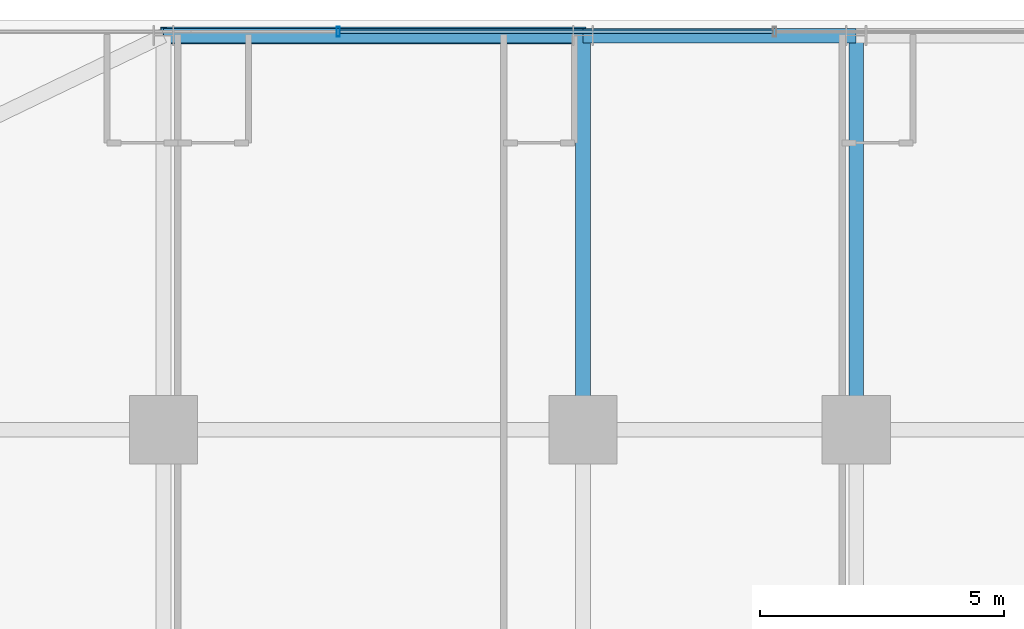
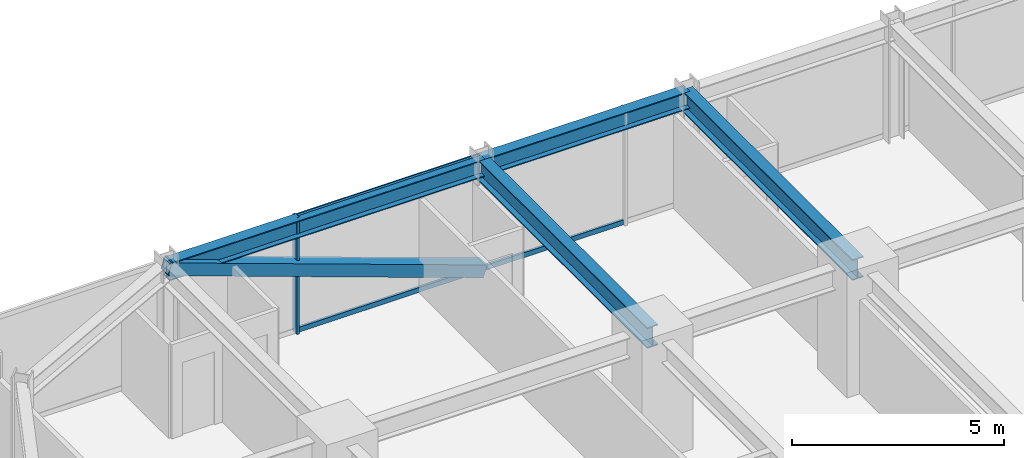
# One storey, part 24 of 37: 4 beams, 4 members, 1 element without a shape of its own.
"""IFC4 building model written with IfcOpenShell, lengths in metres."""

from ifc_helpers import new_model, si_unit, direction, frame, origin, origin_2d, place, context, subcontext, project, spatial, hollow_rectangle, i_section, extrude, source, transform, mapped, material, material_profile, profile_set, type_object, element, aggregate, save


model = new_model("IFC4")

# Units and contexts
model_context = context("Model", 3, precision=1e-05, world=origin(), true_north=direction((0.0, 1.0)))
body_context = subcontext(model_context, "Body", "Model", "MODEL_VIEW")
ifc_project = project(units=[si_unit("LENGTHUNIT", "METRE"), si_unit("AREAUNIT", "SQUARE_METRE"), si_unit("VOLUMEUNIT", "CUBIC_METRE"), si_unit("PLANEANGLEUNIT", "RADIAN"), si_unit("MASSUNIT", "GRAM", prefix="KILO")], contexts=[model_context])

# Site, building, storey
site_placement = place(None, origin())
site = spatial("IfcSite", under=ifc_project, at=site_placement, CompositionType="ELEMENT")
building_placement = place(site_placement, origin())
building = spatial("IfcBuilding", under=site, at=building_placement, Name="Nahalor Promenade Grand Hotel", CompositionType="ELEMENT")
storey_placement = place(building_placement, frame((0.0, 0.0, 65.25)))
storey = spatial("IfcBuildingStorey", under=building, at=storey_placement, Name="L15", CompositionType="ELEMENT", Elevation=65.25)

# Beams
ifc_material_1 = material(Name="Steel S355JR", Category="steel")
ifc_material_profile_1 = material_profile(ifc_material_1, i_section(OverallWidth=0.3, OverallDepth=0.5, WebThickness=0.0145, FlangeThickness=0.028, at=origin_2d()), Name="HEB 500")
ifc_profile_set_1 = profile_set([ifc_material_profile_1], Name="Steel S355JR")
beam_type_1 = type_object("IfcBeamType", Name="Beam-Spandrel-HEB500", PredefinedType="SPANDREL", material=ifc_profile_set_1)
shared_shape_1 = source(origin(), body_context, "Body", "SweptSolid", [
    extrude(i_section(OverallWidth=0.3, OverallDepth=0.5, WebThickness=0.0145, FlangeThickness=0.028, at=origin_2d()), origin(), (0.0, 0.0, 1.0), 8.60009765625),
])
beam_1_placement = place(storey_placement, frame((-17.0, 25.080078125, 3.1201171875), z_axis=(1.0, 0.0, 0.0), x_axis=(0.0, 1.0, 0.0)))
element("IfcBeam", 1, at=beam_1_placement, inside=storey, type_object=beam_type_1, Name="BM-L15-SP-N-0", PredefinedType="SPANDREL", context=body_context, shape_type="MappedRepresentation", body=[
    mapped(shared_shape_1, transform((0.0, 0.0, 0.0), scale=1.0)),
])
shared_shape_2 = source(origin(), body_context, "Body", "SweptSolid", [
    extrude(i_section(OverallWidth=0.3, OverallDepth=0.5, WebThickness=0.0145, FlangeThickness=0.028, at=origin_2d()), origin(), (0.0, 0.0, 1.0), 5.599853515625),
])
beam_2_placement = place(storey_placement, frame((-8.39990234375, 25.080078125, 3.1201171875), z_axis=(1.0, 0.0, 0.0), x_axis=(0.0, 1.0, 0.0)))
element("IfcBeam", 2, at=beam_2_placement, inside=storey, type_object=beam_type_1, Name="BM-L15-SP-N-1", PredefinedType="SPANDREL", context=body_context, shape_type="MappedRepresentation", body=[
    mapped(shared_shape_2, transform((0.0, 0.0, 0.0), scale=1.0)),
])
ifc_material_profile_2 = material_profile(ifc_material_1, i_section(OverallWidth=0.3, OverallDepth=0.6, WebThickness=0.0155, FlangeThickness=0.03, at=origin_2d()), Name="HEB 600")
ifc_profile_set_2 = profile_set([ifc_material_profile_2], Name="Steel S355JR")
beam_type_2 = type_object("IfcBeamType", Name="Beam-Girder-HEB600", PredefinedType="BEAM", material=ifc_profile_set_2)
shared_shape_3 = source(origin(), body_context, "Body", "SweptSolid", [
    extrude(i_section(OverallWidth=0.3, OverallDepth=0.6, WebThickness=0.0155, FlangeThickness=0.03, at=origin_2d()), origin(), (0.0, 0.0, 1.0), 8.080078125),
])
for number, where, z_axis, x_axis, name in (
    (3, (-8.39990234375, 17.0, 3.070068359375), (0.0, 1.0, 0.0), (-1.0, 0.0, 0.0), "BM-L15-GY-1-4"),
    (4, (-2.800048828125, 17.0, 3.070068359375), (0.0, 1.0, 0.0), (-1.0, 0.0, 0.0), "BM-L15-GY-2-4"),
):
    element("IfcBeam", number, at=place(storey_placement, frame(where, z_axis=z_axis, x_axis=x_axis)), inside=storey, type_object=beam_type_2, Name=name, PredefinedType="BEAM", context=body_context, shape_type="MappedRepresentation", body=[
        mapped(shared_shape_3, transform((0.0, 0.0, 0.0), scale=1.0)),
    ])

# Member
ifc_material_profile_3 = material_profile(ifc_material_1, hollow_rectangle(XDim=0.35, YDim=0.35, WallThickness=0.02, at=origin_2d()), Name="SHS 350x350x20")
ifc_profile_set_3 = profile_set([ifc_material_profile_3], Name="Steel S355JR")
member_type_1 = type_object("IfcMemberType", Name="Mem-VoidBrace-SHS350", PredefinedType="BRACE", material=ifc_profile_set_3)
shared_shape_4 = source(origin(), body_context, "Body", "SweptSolid", [
    extrude(hollow_rectangle(XDim=0.35, YDim=0.35, WallThickness=0.02, at=origin_2d()), origin(), (0.0, 0.0, 1.0), 9.131591796875),
])
member_1_placement = place(storey_placement, frame((-8.39990234375, 25.080078125, 0.14990234375), z_axis=(-0.941790292179, 0.0, 0.336200900589), x_axis=(0.0, -1.0, 0.0)))
element("IfcMember", 5, at=member_1_placement, inside=storey, type_object=member_type_1, Name="EXO-L15-N-0", PredefinedType="BRACE", context=body_context, shape_type="MappedRepresentation", body=[
    mapped(shared_shape_4, transform((0.0, 0.0, 0.0), scale=1.0)),
])

# Curtain wall, members
ifc_material_2 = material(Name="Anodised Bronze Aluminium EN AW-6063 T6", Category="aluminium")
curtain_wall_type = type_object("IfcCurtainWallType", Name="CW3 Elliptical-Void Collar Unitised Curtain Wall", PredefinedType="USERDEFINED", material=ifc_material_2)
curtain_wall_placement = place(storey_placement, origin())
curtain_wall = element("IfcCurtainWall", 6, at=curtain_wall_placement, inside=storey, type_object=curtain_wall_type, Name="L15 Curtain Wall CW-L15-N-1", ObjectType="UNITISED_CURTAIN_WALL", PredefinedType="USERDEFINED")
ifc_material_profile_4 = material_profile(ifc_material_2, hollow_rectangle(XDim=0.07, YDim=0.14, WallThickness=0.004, at=origin_2d()), Name="CWT 70x140x4")
ifc_profile_set_4 = profile_set([ifc_material_profile_4], Name="Anodised Bronze Aluminium EN AW-6063 T6")
member_type_2 = type_object("IfcMemberType", Name="CWT3 Void Collar Transom 70x140", PredefinedType="USERDEFINED", material=ifc_profile_set_4)
shared_shape_5 = source(origin(), body_context, "Body", "SweptSolid", [
    extrude(hollow_rectangle(XDim=0.07, YDim=0.14, WallThickness=0.004, at=origin_2d()), origin(), (0.0, 0.0, 1.0), 8.8740234375),
])
member_2_placement = place(storey_placement, frame((-13.381103515625, 25.159912109375, 0.070068359375), z_axis=(1.0, 0.0, 0.0), x_axis=(0.0, 1.0, 0.0)))
member_2 = element("IfcMember", 7, at=member_2_placement, type_object=member_type_2, Name="CW-L15-N-1 Transom 1-0", ObjectType="TRANSOM", PredefinedType="USERDEFINED", context=body_context, shape_type="MappedRepresentation", body=[
    mapped(shared_shape_5, transform((0.0, 0.0, 0.0), scale=1.0)),
])
member_3_placement = place(storey_placement, frame((-13.381103515625, 25.159912109375, 3.300048828125), z_axis=(1.0, 0.0, 0.0), x_axis=(0.0, 1.0, 0.0)))
member_3 = element("IfcMember", 8, at=member_3_placement, type_object=member_type_2, Name="CW-L15-N-1 Transom 1-1", ObjectType="TRANSOM", PredefinedType="USERDEFINED", context=body_context, shape_type="MappedRepresentation", body=[
    mapped(shared_shape_5, transform((0.0, 0.0, 0.0), scale=1.0)),
])
ifc_material_profile_5 = material_profile(ifc_material_2, hollow_rectangle(XDim=0.07, YDim=0.2, WallThickness=0.005, at=origin_2d()), Name="CWM 70x200x5")
ifc_profile_set_5 = profile_set([ifc_material_profile_5], Name="Anodised Bronze Aluminium EN AW-6063 T6")
member_type_3 = type_object("IfcMemberType", Name="CWM3 Void Collar Mullion 70x200", PredefinedType="MULLION", material=ifc_profile_set_5)
shared_shape_6 = source(origin(), body_context, "Body", "SweptSolid", [
    extrude(hollow_rectangle(XDim=0.07, YDim=0.2, WallThickness=0.005, at=origin_2d()), origin(), (0.0, 0.0, 1.0), 3.3701171875),
])
member_4_placement = place(storey_placement, frame((-13.416015625, 25.159912109375, 0.0), z_axis=(0.0, 0.0, 1.0), x_axis=(1.0, 0.0, 0.0)))
member_4 = element("IfcMember", 9, at=member_4_placement, type_object=member_type_3, Name="CW-L15-N-1 Mullion 1", PredefinedType="MULLION", context=body_context, shape_type="MappedRepresentation", body=[
    mapped(shared_shape_6, transform((0.0, 0.0, 0.0), scale=1.0)),
])
aggregate(curtain_wall, [member_4, member_2, member_3])

save(model, "model.ifc")
